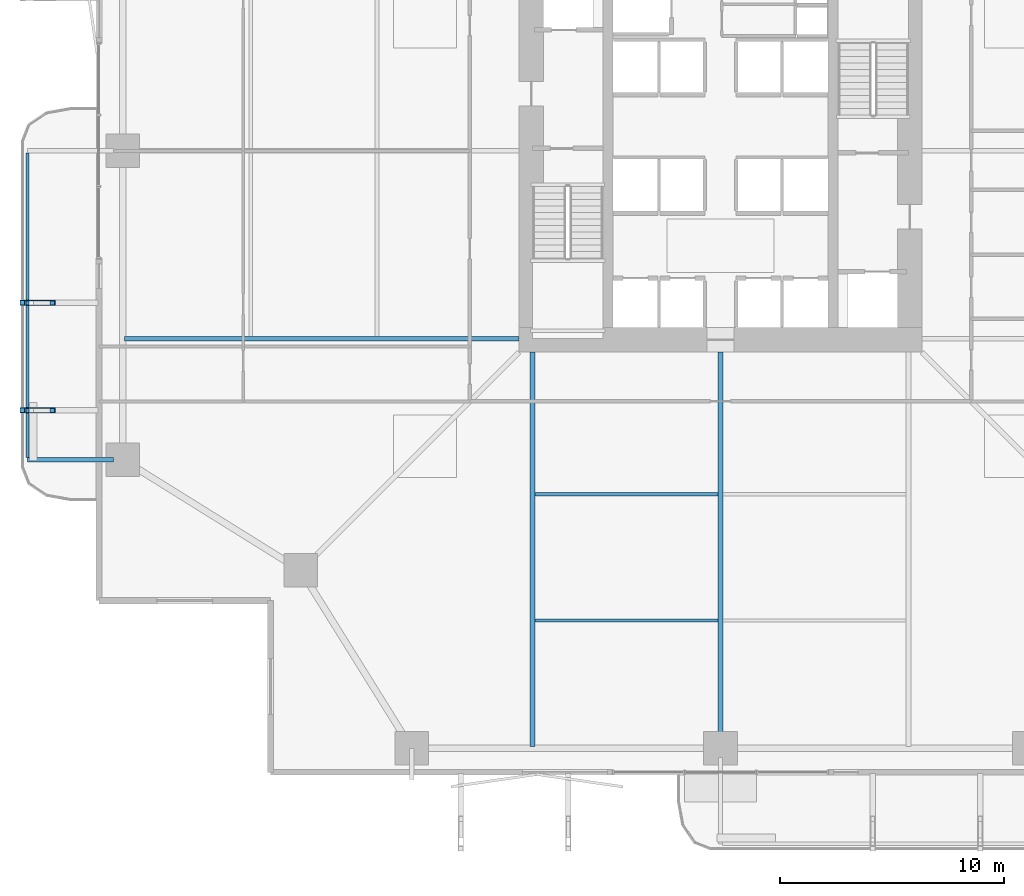
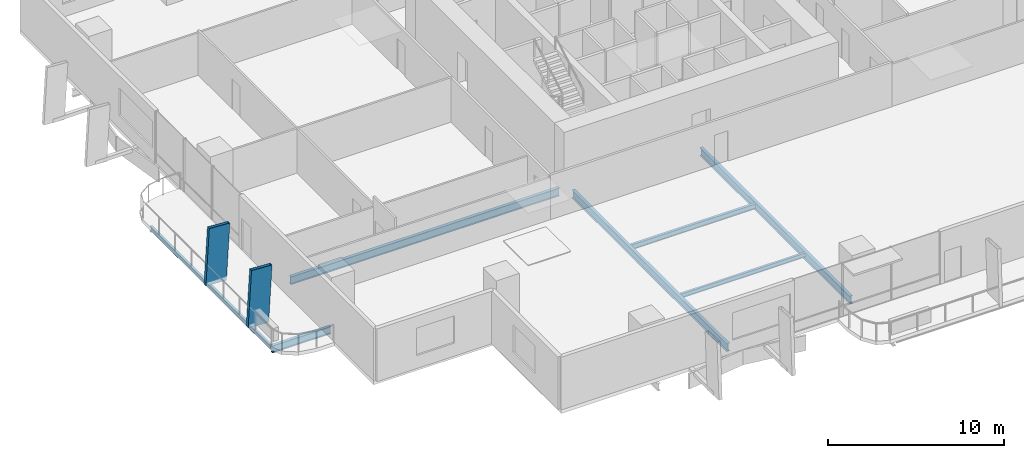
# One storey, part 3 of 24: 7 beams, 2 members.
"""IFC4 building model written with IfcOpenShell, lengths in metres."""

import ifcopenshell
import ifcopenshell.guid

model = None  # the IFC model being written
_history = None  # IfcOwnerHistory: only IFC2X3 demands one
_inside = {}  # id of a spatial element -> (the spatial element, [elements in it])
_under = {}  # id of a project, library or spatial element -> (it, [spatial elements below it])
_declared = {}  # id of a project -> (the project, [libraries it declares])
_typed = {}  # id of a type object -> (the type object, [elements of that type])
_made_of = {}  # id of a material, layer set ... -> (it, [elements and type objects made of it])


def new_model(schema):
    """Start an empty IFC model of exactly this schema.

    Asked for "IFC4X3", IfcOpenShell would pick the latest addendum, in which some entities
    have other attributes; the version numbers below select the first issue.
    IFC2X3 requires an IfcOwnerHistory on every rooted entity: one is made here for all.
    """
    global model, _history
    if schema == "IFC4X3":
        model = ifcopenshell.file(schema_version=(4, 3, 0, 0))
    else:
        model = ifcopenshell.file(schema=schema)
    _inside.clear()
    _under.clear()
    _declared.clear()
    _typed.clear()
    _made_of.clear()
    _history = None
    if model.schema == "IFC2X3":
        org = make("IfcOrganization", Name="unknown")
        user = make(
            "IfcPersonAndOrganization",
            ThePerson=make("IfcPerson", FamilyName="unknown"),
            TheOrganization=org,
        )
        app = make(
            "IfcApplication",
            ApplicationDeveloper=org,
            Version="unknown",
            ApplicationFullName="unknown",
            ApplicationIdentifier="unknown",
        )
        _history = make(
            "IfcOwnerHistory",
            OwningUser=user,
            OwningApplication=app,
            ChangeAction="ADDED",
            CreationDate=0,
        )
    return model


def make(cls, **values):
    """One entity of the class cls with the attributes given. An attribute that is None is left unset."""
    return model.create_entity(
        cls, **{name: value for name, value in values.items() if value is not None}
    )


def rooted(cls, **values):
    """An entity with a GlobalId (a new one), such as an element, a storey or a relation."""
    return make(cls, GlobalId=ifcopenshell.guid.new(), OwnerHistory=_history, **values)


def si_unit(unit_type, name, prefix=None):
    """IfcSIUnit, for example si_unit("LENGTHUNIT", "METRE", prefix="MILLI")."""
    return make("IfcSIUnit", UnitType=unit_type, Prefix=prefix, Name=name)


def assignment(units):
    """IfcUnitAssignment: the units of a project."""
    return None if units is None else make("IfcUnitAssignment", Units=units)


def point(xyz):
    """IfcCartesianPoint."""
    return None if xyz is None else make("IfcCartesianPoint", Coordinates=xyz)


def direction(xyz):
    """IfcDirection."""
    return None if xyz is None else make("IfcDirection", DirectionRatios=xyz)


def frame(location, z_axis=None, x_axis=None):
    """IfcAxis2Placement3D, a coordinate frame: its origin and axes. An axis left out is left unset."""
    return make(
        "IfcAxis2Placement3D",
        Location=point(location),
        Axis=direction(z_axis),
        RefDirection=direction(x_axis),
    )


def frame_2d(location, x_axis=None):
    """IfcAxis2Placement2D, a coordinate frame in the plane: its origin and x axis."""
    return make(
        "IfcAxis2Placement2D", Location=point(location), RefDirection=direction(x_axis)
    )


def origin():
    """The frame at (0, 0, 0) with its axes left unset."""
    return frame((0.0, 0.0, 0.0))


def origin_2d():
    """The frame at (0, 0) in the plane with its x axis left unset."""
    return frame_2d((0.0, 0.0))


def place(relative_to, where):
    """IfcLocalPlacement: puts the frame where relative to a parent placement (None: the world)."""
    return make(
        "IfcLocalPlacement", PlacementRelTo=relative_to, RelativePlacement=where
    )


def context(
    kind, dimensions, precision=None, world=None, true_north=None, identifier=None
):
    """IfcGeometricRepresentationContext, for example the 3D "Model" context."""
    return make(
        "IfcGeometricRepresentationContext",
        ContextIdentifier=identifier,
        ContextType=kind,
        CoordinateSpaceDimension=dimensions,
        Precision=precision,
        WorldCoordinateSystem=world,
        TrueNorth=true_north,
    )


def subcontext(parent, identifier, kind, view, scale=None):
    """IfcGeometricRepresentationSubContext, for example "Body" below "Model"."""
    return make(
        "IfcGeometricRepresentationSubContext",
        ContextIdentifier=identifier,
        ContextType=kind,
        ParentContext=parent,
        TargetScale=scale,
        TargetView=view,
    )


def project(units=None, contexts=None):
    """IfcProject with its units and contexts."""
    return rooted(
        "IfcProject",
        Name="project",
        RepresentationContexts=contexts,
        UnitsInContext=assignment(units),
    )


def spatial(cls, under=None, at=None, **own):
    """A site, building, storey or space (cls), placed at a placement, below another one or the project."""
    s = rooted(cls, ObjectPlacement=at, **own)
    if under is not None:
        _under.setdefault(under.id(), (under, []))[1].append(s)
    return s


def profile(cls, at=None, kind="AREA", **sizes):
    """A parametric profile (cls). Its sizes go by their IFC names, for example OverallWidth=200.0."""
    return make(cls, ProfileType=kind, Position=at, **sizes)


def hollow_rectangle(**sizes):
    """IfcRectangleHollowProfileDef."""
    return profile("IfcRectangleHollowProfileDef", **sizes)


def i_section(**sizes):
    """IfcIShapeProfileDef."""
    return profile("IfcIShapeProfileDef", **sizes)


def extrude(swept, where, along, depth):
    """IfcExtrudedAreaSolid: the profile swept, set in the frame where, extruded along a direction by depth."""
    return make(
        "IfcExtrudedAreaSolid",
        SweptArea=swept,
        Position=where,
        ExtrudedDirection=direction(along),
        Depth=depth,
    )


def shape(context_of_items, identifier, shape_type, items):
    """IfcShapeRepresentation: the items that make up one representation, for example the "Body"."""
    return make(
        "IfcShapeRepresentation",
        ContextOfItems=context_of_items,
        RepresentationIdentifier=identifier,
        RepresentationType=shape_type,
        Items=items,
    )


def material(Name=None, Category=None):
    """IfcMaterial."""
    return make("IfcMaterial", Name=Name, Category=Category)


def material_profile(
    of_material, cross_section, Name=None, Category=None, Priority=None
):
    """IfcMaterialProfile: a cross section and its material."""
    return make(
        "IfcMaterialProfile",
        Name=Name,
        Material=of_material,
        Profile=cross_section,
        Priority=Priority,
        Category=Category,
    )


def profile_set(profiles, Name=None, composite=None):
    """IfcMaterialProfileSet."""
    return make(
        "IfcMaterialProfileSet",
        Name=Name,
        MaterialProfiles=profiles,
        CompositeProfile=composite,
    )


def made_of(thing, what):
    """Note that an element or type object is made of a material, layer set ...; save() writes the relation."""
    if what is not None:
        _made_of.setdefault(what.id(), (what, []))[1].append(thing)
    return thing


def type_object(cls, material=None, **own):
    """A type object (cls), such as IfcWallType, which elements share."""
    return made_of(rooted(cls, **own), material)


def element(
    cls,
    number,
    at=None,
    inside=None,
    cuts=None,
    type_object=None,
    material=None,
    context=None,
    identifier="Body",
    shape_type=None,
    held_by="IfcProductDefinitionShape",
    body=None,
    shapes=None,
    **own,
):
    """One element of the class cls, such as IfcWall. Its Tag is "e" and its number.

    at: its placement. inside: the storey or other place that contains it. cuts: it is an
    opening in that element (IfcRelVoidsElement). A single representation is given by context,
    identifier, shape_type and body (its items); several are given by shapes. held_by: the class
    of the entity that holds the representations. save() writes the other relations.
    """
    e = rooted(cls, Tag="e%d" % number, ObjectPlacement=at, **own)
    if body is not None:
        shapes = [shape(context, identifier, shape_type, body)]
    if shapes is not None:
        e.Representation = make(held_by, Representations=shapes)
    if inside is not None:
        _inside.setdefault(inside.id(), (inside, []))[1].append(e)
    if cuts is not None:
        rooted(
            "IfcRelVoidsElement", RelatingBuildingElement=cuts, RelatedOpeningElement=e
        )
    if type_object is not None:
        _typed.setdefault(type_object.id(), (type_object, []))[1].append(e)
    return made_of(e, material)


def aggregate(whole, parts):
    """IfcRelAggregates: a whole, such as a stair, and the parts it consists of."""
    return rooted("IfcRelAggregates", RelatingObject=whole, RelatedObjects=parts)


def save(model, path):
    """Write the relations noted so far, then the file.

    IfcRelAggregates (storeys below a building ...), IfcRelContainedInSpatialStructure (elements
    in a storey), IfcRelDefinesByType, IfcRelAssociatesMaterial and IfcRelDeclares: one each for
    every whole, place, type object, material and project.
    """
    for whole, parts in _under.values():
        aggregate(whole, parts)
    for where, things in _inside.values():
        rooted(
            "IfcRelContainedInSpatialStructure",
            RelatedElements=things,
            RelatingStructure=where,
        )
    for kind, things in _typed.values():
        rooted("IfcRelDefinesByType", RelatedObjects=things, RelatingType=kind)
    for what, things in _made_of.values():
        rooted("IfcRelAssociatesMaterial", RelatedObjects=things, RelatingMaterial=what)
    for by, libraries in _declared.values():
        rooted("IfcRelDeclares", RelatingContext=by, RelatedDefinitions=libraries)
    model.write(path)


model = new_model("IFC4")

# Units and contexts
model_context = context("Model", 3, precision=1e-05, world=origin(), true_north=direction((0.0, 1.0)))
body_context = subcontext(model_context, "Body", "Model", "MODEL_VIEW")
ifc_project = project(units=[si_unit("LENGTHUNIT", "METRE"), si_unit("AREAUNIT", "SQUARE_METRE"), si_unit("VOLUMEUNIT", "CUBIC_METRE"), si_unit("PLANEANGLEUNIT", "RADIAN"), si_unit("MASSUNIT", "GRAM", prefix="KILO")], contexts=[model_context])

# Site, building, storey
site_placement = place(None, origin())
site = spatial("IfcSite", under=ifc_project, at=site_placement, CompositionType="ELEMENT")
building_placement = place(site_placement, origin())
building = spatial("IfcBuilding", under=site, at=building_placement, Name="Belovzor Exchange Tower", CompositionType="ELEMENT")
storey_placement = place(building_placement, frame((0.0, 0.0, 45.60009765625)))
storey = spatial("IfcBuildingStorey", under=building, at=storey_placement, Name="L10", CompositionType="ELEMENT", Elevation=45.60009765625)

# Members
ifc_material_1 = material(Name="Extruded Architectural Terracotta on Steel S355 Carrier", Category="masonry")
ifc_material_profile_1 = material_profile(ifc_material_1, hollow_rectangle(XDim=0.219970703125, YDim=1.35009765625, WallThickness=0.013916015625, at=origin_2d()))
ifc_profile_set_1 = profile_set([ifc_material_profile_1], Name="Extruded Architectural Terracotta on Steel S355 Carrier")
member_type = type_object("IfcMemberType", Name="Base Arc Sweeping Terracotta Pylon Fin 1450", PredefinedType="USERDEFINED", material=ifc_profile_set_1)
for number, where, z_axis, x_axis, name in (
    (1, (-1.821044921875, 17.199951171875, -0.25), (0.057124545683, 0.0, 0.998367059894), (0.0, 1.0, 0.0), "FIN-TC145 Terracotta Facade Fin L10 W1"),
    (2, (-1.821044921875, 22.0, -0.25), (0.057124545683, 0.0, 0.998367059894), (0.0, 1.0, 0.0), "FIN-TC145 Terracotta Facade Fin L10 W2"),
):
    element("IfcMember", number, at=place(storey_placement, frame(where, z_axis=z_axis, x_axis=x_axis)), inside=storey, type_object=member_type, Name=name, ObjectType="FIN", PredefinedType="USERDEFINED", context=body_context, shape_type="SweptSolid", body=[
        extrude(hollow_rectangle(XDim=0.219970703125, YDim=1.35009765625, WallThickness=0.013916015625, at=origin_2d()), origin(), (0.0, 0.0, 1.0), 3.90625),
    ])

# Beams
ifc_material_2 = material(Name="Steel S355", Category="steel")
ifc_material_profile_2 = material_profile(ifc_material_2, i_section(OverallWidth=0.199951171875, OverallDepth=0.5, WebThickness=0.01025390625, FlangeThickness=0.01611328125, at=origin_2d()))
ifc_profile_set_2 = profile_set([ifc_material_profile_2], Name="Steel S355")
beam_type_1 = type_object("IfcBeamType", Name="Planted Balcony Cantilever Beam IPE 500", PredefinedType="BEAM", material=ifc_profile_set_2)
beam_1_placement = place(storey_placement, frame((1.68798828125, 15.0, -0.5), z_axis=(-1.0, 0.0, 0.0), x_axis=(0.0, -1.0, 0.0)))
element("IfcBeam", 3, at=beam_1_placement, inside=storey, type_object=beam_type_1, Name="BC-500 Planted Balcony Cantilever Beam IPE 500", PredefinedType="BEAM", context=body_context, shape_type="SweptSolid", body=[
    extrude(i_section(OverallWidth=0.199951171875, OverallDepth=0.5, WebThickness=0.01025390625, FlangeThickness=0.01611328125, at=origin_2d()), origin(), (0.0, 0.0, 1.0), 3.85009765625),
])
ifc_material_3 = material(Name="Steel S355", Category="steel")
ifc_material_profile_3 = material_profile(ifc_material_3, i_section(OverallWidth=0.14990234375, OverallDepth=0.300048828125, WebThickness=0.007080078125, FlangeThickness=0.0107421875, at=origin_2d()))
ifc_profile_set_3 = profile_set([ifc_material_profile_3], Name="Steel S355")
beam_type_2 = type_object("IfcBeamType", Name="Planted Balcony Fascia Edge Beam IPE 300", PredefinedType="BEAM", material=ifc_profile_set_3)
beam_2_placement = place(storey_placement, frame((-2.162109375, 28.699951171875, -0.400146484375), z_axis=(0.0, -1.0, 0.0), x_axis=(1.0, 0.0, 0.0)))
element("IfcBeam", 4, at=beam_2_placement, inside=storey, type_object=beam_type_2, Name="BC-300 Planted Balcony Fascia Edge Beam IPE 300", PredefinedType="BEAM", context=body_context, shape_type="SweptSolid", body=[
    extrude(i_section(OverallWidth=0.14990234375, OverallDepth=0.300048828125, WebThickness=0.007080078125, FlangeThickness=0.0107421875, at=origin_2d()), origin(), (0.0, 0.0, 1.0), 13.599853515625),
])
ifc_material_4 = material(Name="Steel S355", Category="steel")
ifc_material_profile_4 = material_profile(ifc_material_4, i_section(OverallWidth=0.169921875, OverallDepth=0.360107421875, WebThickness=0.008056640625, FlangeThickness=0.0126953125, at=origin_2d()))
ifc_profile_set_4 = profile_set([ifc_material_profile_4], Name="Steel S355")
beam_type_3 = type_object("IfcBeamType", Name="Secondary Infill Floor Joist IPE 360", PredefinedType="BEAM", material=ifc_profile_set_4)
beam_3_placement = place(storey_placement, frame((20.5048828125, 13.455078125, -0.43017578125), z_axis=(1.0, 0.0, 0.0), x_axis=(0.0, 1.0, 0.0)))
element("IfcBeam", 5, at=beam_3_placement, inside=storey, type_object=beam_type_3, Name="FJ-360 Secondary Infill Floor Joist IPE 360", PredefinedType="BEAM", context=body_context, shape_type="SweptSolid", body=[
    extrude(i_section(OverallWidth=0.169921875, OverallDepth=0.360107421875, WebThickness=0.008056640625, FlangeThickness=0.0126953125, at=origin_2d()), origin(), (0.0, 0.0, 1.0), 8.190185546875),
])
ifc_material_5 = material(Name="Steel S355", Category="steel")
ifc_material_profile_5 = material_profile(ifc_material_5, i_section(OverallWidth=0.14990234375, OverallDepth=0.300048828125, WebThickness=0.007080078125, FlangeThickness=0.0107421875, at=origin_2d()))
ifc_profile_set_5 = profile_set([ifc_material_profile_5], Name="Steel S355")
beam_type_4 = type_object("IfcBeamType", Name="Secondary Trim Floor Joist IPE 300", PredefinedType="BEAM", material=ifc_profile_set_5)
beam_4_placement = place(storey_placement, frame((20.5048828125, 7.81494140625, -0.400146484375), z_axis=(1.0, 0.0, 0.0), x_axis=(0.0, 1.0, 0.0)))
element("IfcBeam", 6, at=beam_4_placement, inside=storey, type_object=beam_type_4, Name="FJ-300 Secondary Trim Floor Joist IPE 300", PredefinedType="BEAM", context=body_context, shape_type="SweptSolid", body=[
    extrude(i_section(OverallWidth=0.14990234375, OverallDepth=0.300048828125, WebThickness=0.007080078125, FlangeThickness=0.0107421875, at=origin_2d()), origin(), (0.0, 0.0, 1.0), 8.190185546875),
])
ifc_material_6 = material(Name="Steel S355", Category="steel")
ifc_material_profile_6 = material_profile(ifc_material_6, i_section(OverallWidth=0.2099609375, OverallDepth=0.550048828125, WebThickness=0.010986328125, FlangeThickness=0.01708984375, at=origin_2d()))
ifc_profile_set_6 = profile_set([ifc_material_profile_6], Name="Steel S355")
beam_type_5 = type_object("IfcBeamType", Name="Zone 1 Radial Composite Floor Beam IPE 550", PredefinedType="BEAM", material=ifc_profile_set_6)
beam_5_placement = place(storey_placement, frame((20.39990234375, 19.800048828125, -0.525146484375), z_axis=(0.0, -1.0, 0.0), x_axis=(1.0, 0.0, 0.0)))
element("IfcBeam", 7, at=beam_5_placement, inside=storey, type_object=beam_type_5, Name="FB-550 Zone 1 Radial Composite Floor Beam IPE 550", PredefinedType="BEAM", context=body_context, shape_type="SweptSolid", body=[
    extrude(i_section(OverallWidth=0.2099609375, OverallDepth=0.550048828125, WebThickness=0.010986328125, FlangeThickness=0.01708984375, at=origin_2d()), origin(), (0.0, 0.0, 1.0), 17.625),
])
beam_6_placement = place(storey_placement, frame((28.800048828125, 19.800048828125, -0.525146484375), z_axis=(0.0, -1.0, 0.0), x_axis=(1.0, 0.0, 0.0)))
element("IfcBeam", 8, at=beam_6_placement, inside=storey, type_object=beam_type_5, Name="FB-550 Zone 1 Radial Composite Floor Beam IPE 550", PredefinedType="BEAM", context=body_context, shape_type="SweptSolid", body=[
    extrude(i_section(OverallWidth=0.2099609375, OverallDepth=0.550048828125, WebThickness=0.010986328125, FlangeThickness=0.01708984375, at=origin_2d()), origin(), (0.0, 0.0, 1.0), 17.0400390625),
])
beam_7_placement = place(storey_placement, frame((19.800048828125, 20.39990234375, -0.525146484375), z_axis=(-1.0, 0.0, 0.0), x_axis=(0.0, -1.0, 0.0)))
element("IfcBeam", 9, at=beam_7_placement, inside=storey, type_object=beam_type_5, Name="FB-550 Zone 1 Radial Composite Floor Beam IPE 550", PredefinedType="BEAM", context=body_context, shape_type="SweptSolid", body=[
    extrude(i_section(OverallWidth=0.2099609375, OverallDepth=0.550048828125, WebThickness=0.010986328125, FlangeThickness=0.01708984375, at=origin_2d()), origin(), (0.0, 0.0, 1.0), 17.625),
])

save(model, "model.ifc")
